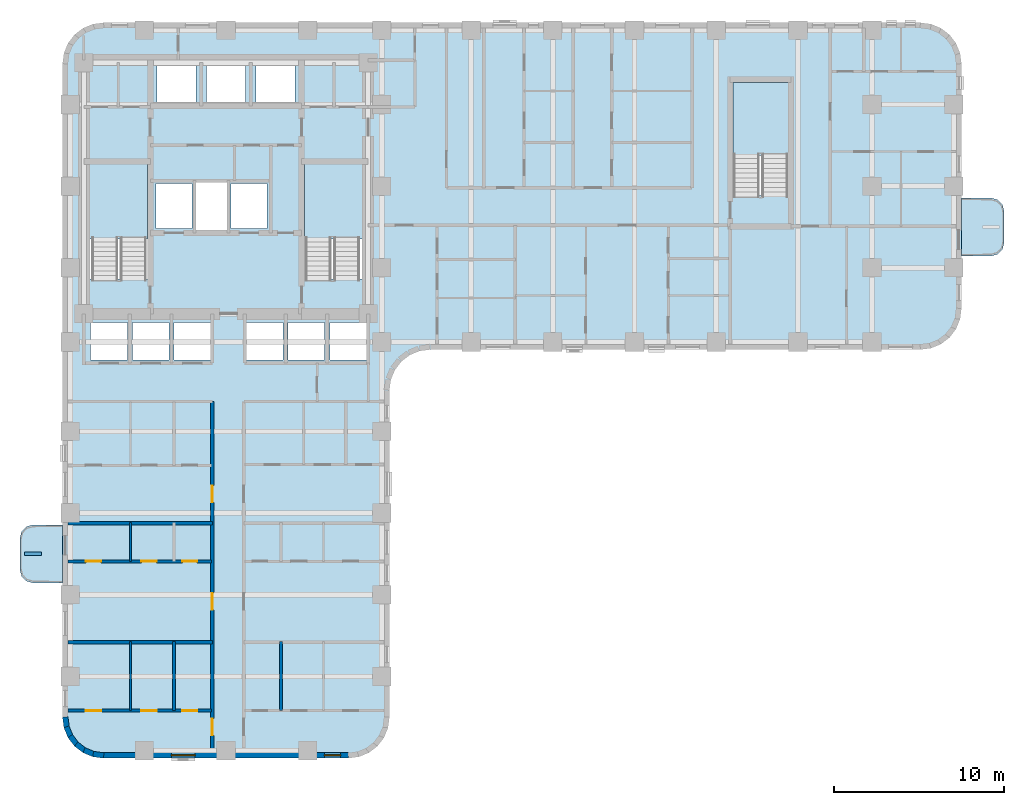
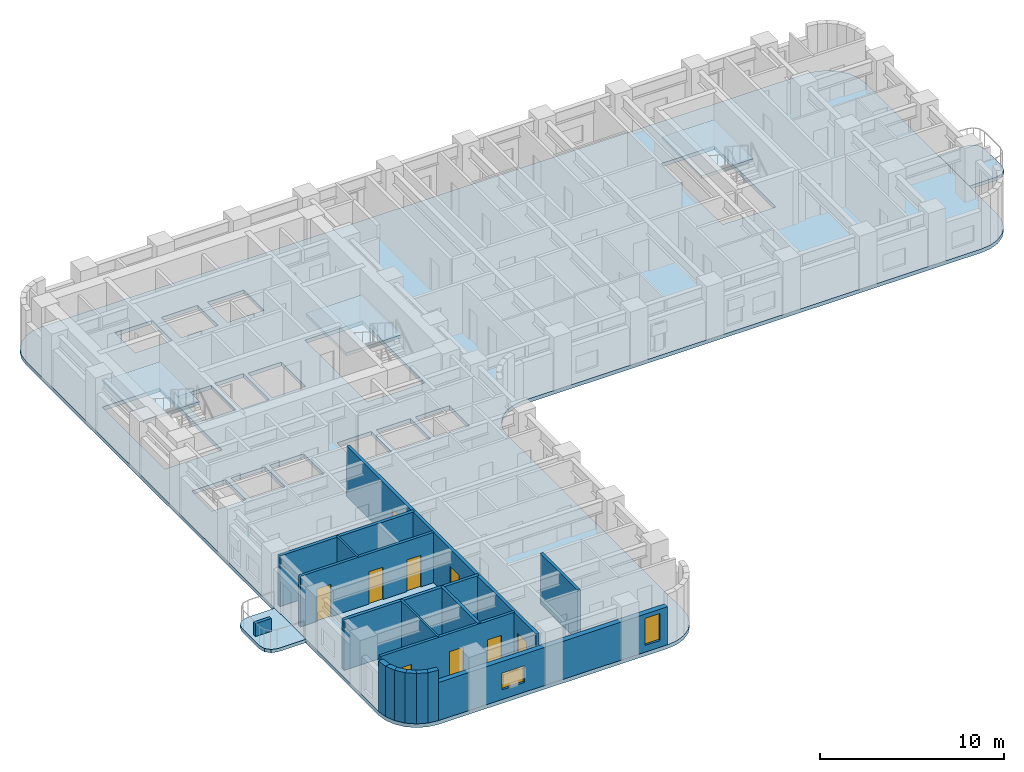
# One storey, part 2 of 10: 17 walls, 9 doors, 6 slabs, 2 windows, 11 openings, 3 elements without a shape of their own.
"""IFC4 building model written with IfcOpenShell, lengths in metres."""

import ifcopenshell
import ifcopenshell.guid

model = None  # the IFC model being written
_history = None  # IfcOwnerHistory: only IFC2X3 demands one
_inside = {}  # id of a spatial element -> (the spatial element, [elements in it])
_under = {}  # id of a project, library or spatial element -> (it, [spatial elements below it])
_declared = {}  # id of a project -> (the project, [libraries it declares])
_typed = {}  # id of a type object -> (the type object, [elements of that type])
_made_of = {}  # id of a material, layer set ... -> (it, [elements and type objects made of it])


def new_model(schema):
    """Start an empty IFC model of exactly this schema.

    Asked for "IFC4X3", IfcOpenShell would pick the latest addendum, in which some entities
    have other attributes; the version numbers below select the first issue.
    IFC2X3 requires an IfcOwnerHistory on every rooted entity: one is made here for all.
    """
    global model, _history
    if schema == "IFC4X3":
        model = ifcopenshell.file(schema_version=(4, 3, 0, 0))
    else:
        model = ifcopenshell.file(schema=schema)
    _inside.clear()
    _under.clear()
    _declared.clear()
    _typed.clear()
    _made_of.clear()
    _history = None
    if model.schema == "IFC2X3":
        org = make("IfcOrganization", Name="unknown")
        user = make(
            "IfcPersonAndOrganization",
            ThePerson=make("IfcPerson", FamilyName="unknown"),
            TheOrganization=org,
        )
        app = make(
            "IfcApplication",
            ApplicationDeveloper=org,
            Version="unknown",
            ApplicationFullName="unknown",
            ApplicationIdentifier="unknown",
        )
        _history = make(
            "IfcOwnerHistory",
            OwningUser=user,
            OwningApplication=app,
            ChangeAction="ADDED",
            CreationDate=0,
        )
    return model


def make(cls, **values):
    """One entity of the class cls with the attributes given. An attribute that is None is left unset."""
    return model.create_entity(
        cls, **{name: value for name, value in values.items() if value is not None}
    )


def rooted(cls, **values):
    """An entity with a GlobalId (a new one), such as an element, a storey or a relation."""
    return make(cls, GlobalId=ifcopenshell.guid.new(), OwnerHistory=_history, **values)


def si_unit(unit_type, name, prefix=None):
    """IfcSIUnit, for example si_unit("LENGTHUNIT", "METRE", prefix="MILLI")."""
    return make("IfcSIUnit", UnitType=unit_type, Prefix=prefix, Name=name)


def assignment(units):
    """IfcUnitAssignment: the units of a project."""
    return None if units is None else make("IfcUnitAssignment", Units=units)


def point(xyz):
    """IfcCartesianPoint."""
    return None if xyz is None else make("IfcCartesianPoint", Coordinates=xyz)


def direction(xyz):
    """IfcDirection."""
    return None if xyz is None else make("IfcDirection", DirectionRatios=xyz)


def frame(location, z_axis=None, x_axis=None):
    """IfcAxis2Placement3D, a coordinate frame: its origin and axes. An axis left out is left unset."""
    return make(
        "IfcAxis2Placement3D",
        Location=point(location),
        Axis=direction(z_axis),
        RefDirection=direction(x_axis),
    )


def frame_2d(location, x_axis=None):
    """IfcAxis2Placement2D, a coordinate frame in the plane: its origin and x axis."""
    return make(
        "IfcAxis2Placement2D", Location=point(location), RefDirection=direction(x_axis)
    )


def origin():
    """The frame at (0, 0, 0) with its axes left unset."""
    return frame((0.0, 0.0, 0.0))


def place(relative_to, where):
    """IfcLocalPlacement: puts the frame where relative to a parent placement (None: the world)."""
    return make(
        "IfcLocalPlacement", PlacementRelTo=relative_to, RelativePlacement=where
    )


def context(
    kind, dimensions, precision=None, world=None, true_north=None, identifier=None
):
    """IfcGeometricRepresentationContext, for example the 3D "Model" context."""
    return make(
        "IfcGeometricRepresentationContext",
        ContextIdentifier=identifier,
        ContextType=kind,
        CoordinateSpaceDimension=dimensions,
        Precision=precision,
        WorldCoordinateSystem=world,
        TrueNorth=true_north,
    )


def subcontext(parent, identifier, kind, view, scale=None):
    """IfcGeometricRepresentationSubContext, for example "Body" below "Model"."""
    return make(
        "IfcGeometricRepresentationSubContext",
        ContextIdentifier=identifier,
        ContextType=kind,
        ParentContext=parent,
        TargetScale=scale,
        TargetView=view,
    )


def project(units=None, contexts=None):
    """IfcProject with its units and contexts."""
    return rooted(
        "IfcProject",
        Name="project",
        RepresentationContexts=contexts,
        UnitsInContext=assignment(units),
    )


def spatial(cls, under=None, at=None, **own):
    """A site, building, storey or space (cls), placed at a placement, below another one or the project."""
    s = rooted(cls, ObjectPlacement=at, **own)
    if under is not None:
        _under.setdefault(under.id(), (under, []))[1].append(s)
    return s


def polyline(points):
    """IfcPolyline through the points."""
    return make("IfcPolyline", Points=[point(p) for p in points])


def profile(cls, at=None, kind="AREA", **sizes):
    """A parametric profile (cls). Its sizes go by their IFC names, for example OverallWidth=200.0."""
    return make(cls, ProfileType=kind, Position=at, **sizes)


def rectangle(**sizes):
    """IfcRectangleProfileDef."""
    return profile("IfcRectangleProfileDef", **sizes)


def outline(outer, holes=None, kind="AREA"):
    """IfcArbitraryClosedProfileDef: a profile drawn as a closed curve; with holes, ...WithVoids."""
    if holes is None:
        return make("IfcArbitraryClosedProfileDef", ProfileType=kind, OuterCurve=outer)
    return make(
        "IfcArbitraryProfileDefWithVoids",
        ProfileType=kind,
        OuterCurve=outer,
        InnerCurves=holes,
    )


def extrude(swept, where, along, depth):
    """IfcExtrudedAreaSolid: the profile swept, set in the frame where, extruded along a direction by depth."""
    return make(
        "IfcExtrudedAreaSolid",
        SweptArea=swept,
        Position=where,
        ExtrudedDirection=direction(along),
        Depth=depth,
    )


def shape(context_of_items, identifier, shape_type, items):
    """IfcShapeRepresentation: the items that make up one representation, for example the "Body"."""
    return make(
        "IfcShapeRepresentation",
        ContextOfItems=context_of_items,
        RepresentationIdentifier=identifier,
        RepresentationType=shape_type,
        Items=items,
    )


def material(Name=None, Category=None):
    """IfcMaterial."""
    return make("IfcMaterial", Name=Name, Category=Category)


def layer(
    of_material, thickness, ventilated=None, Name=None, Category=None, Priority=None
):
    """IfcMaterialLayer: one layer of a wall or slab, of a material (None: an air gap)."""
    return make(
        "IfcMaterialLayer",
        Material=of_material,
        LayerThickness=thickness,
        IsVentilated=ventilated,
        Name=Name,
        Category=Category,
        Priority=Priority,
    )


def layer_set(layers, Name=None):
    """IfcMaterialLayerSet."""
    return make("IfcMaterialLayerSet", MaterialLayers=layers, LayerSetName=Name)


def made_of(thing, what):
    """Note that an element or type object is made of a material, layer set ...; save() writes the relation."""
    if what is not None:
        _made_of.setdefault(what.id(), (what, []))[1].append(thing)
    return thing


def type_object(cls, material=None, **own):
    """A type object (cls), such as IfcWallType, which elements share."""
    return made_of(rooted(cls, **own), material)


def element(
    cls,
    number,
    at=None,
    inside=None,
    cuts=None,
    type_object=None,
    material=None,
    context=None,
    identifier="Body",
    shape_type=None,
    held_by="IfcProductDefinitionShape",
    body=None,
    shapes=None,
    **own,
):
    """One element of the class cls, such as IfcWall. Its Tag is "e" and its number.

    at: its placement. inside: the storey or other place that contains it. cuts: it is an
    opening in that element (IfcRelVoidsElement). A single representation is given by context,
    identifier, shape_type and body (its items); several are given by shapes. held_by: the class
    of the entity that holds the representations. save() writes the other relations.
    """
    e = rooted(cls, Tag="e%d" % number, ObjectPlacement=at, **own)
    if body is not None:
        shapes = [shape(context, identifier, shape_type, body)]
    if shapes is not None:
        e.Representation = make(held_by, Representations=shapes)
    if inside is not None:
        _inside.setdefault(inside.id(), (inside, []))[1].append(e)
    if cuts is not None:
        rooted(
            "IfcRelVoidsElement", RelatingBuildingElement=cuts, RelatedOpeningElement=e
        )
    if type_object is not None:
        _typed.setdefault(type_object.id(), (type_object, []))[1].append(e)
    return made_of(e, material)


def fill(opening, filler):
    """IfcRelFillsElement: the door or window that sits in an opening."""
    return rooted(
        "IfcRelFillsElement",
        RelatingOpeningElement=opening,
        RelatedBuildingElement=filler,
    )


def aggregate(whole, parts):
    """IfcRelAggregates: a whole, such as a stair, and the parts it consists of."""
    return rooted("IfcRelAggregates", RelatingObject=whole, RelatedObjects=parts)


def save(model, path):
    """Write the relations noted so far, then the file.

    IfcRelAggregates (storeys below a building ...), IfcRelContainedInSpatialStructure (elements
    in a storey), IfcRelDefinesByType, IfcRelAssociatesMaterial and IfcRelDeclares: one each for
    every whole, place, type object, material and project.
    """
    for whole, parts in _under.values():
        aggregate(whole, parts)
    for where, things in _inside.values():
        rooted(
            "IfcRelContainedInSpatialStructure",
            RelatedElements=things,
            RelatingStructure=where,
        )
    for kind, things in _typed.values():
        rooted("IfcRelDefinesByType", RelatedObjects=things, RelatingType=kind)
    for what, things in _made_of.values():
        rooted("IfcRelAssociatesMaterial", RelatedObjects=things, RelatingMaterial=what)
    for by, libraries in _declared.values():
        rooted("IfcRelDeclares", RelatingContext=by, RelatedDefinitions=libraries)
    model.write(path)


model = new_model("IFC4")

# Units and contexts
model_context = context("Model", 3, precision=1e-05, world=origin(), true_north=direction((0.0, 1.0)))
body_context = subcontext(model_context, "Body", "Model", "MODEL_VIEW")
ifc_project = project(units=[si_unit("LENGTHUNIT", "METRE"), si_unit("AREAUNIT", "SQUARE_METRE"), si_unit("VOLUMEUNIT", "CUBIC_METRE"), si_unit("PLANEANGLEUNIT", "RADIAN"), si_unit("MASSUNIT", "GRAM", prefix="KILO")], contexts=[model_context])

# Site, building, storey
site_placement = place(None, origin())
site = spatial("IfcSite", under=ifc_project, at=site_placement, CompositionType="ELEMENT")
building_placement = place(site_placement, origin())
building = spatial("IfcBuilding", under=site, at=building_placement, Name="Orvandelia Arch Residences", CompositionType="ELEMENT")
storey_placement = place(building_placement, frame((0.0, 0.0, 28.60009765625)))
storey = spatial("IfcBuildingStorey", under=building, at=storey_placement, Name="L06", CompositionType="ELEMENT", Elevation=28.60009765625)

# Slabs
ifc_material_1 = material(Name="Precast concrete C40/50", Category="concrete")
ifc_layer_1 = layer(ifc_material_1, 0.219970703125, Name="Precast concrete C40/50", Category="concrete")
ifc_layer_set_1 = layer_set([ifc_layer_1], Name="Precast concrete C40/50")
slab_type_1 = type_object("IfcSlabType", Name="SLB-BAL-220", PredefinedType="USERDEFINED", material=ifc_layer_set_1)
slab_1_placement = place(storey_placement, frame((0.0, 0.0, -0.22021484375)))
element("IfcSlab", 1, at=slab_1_placement, inside=storey, type_object=slab_type_1, Name="Tree Balcony Cantilever Slab BAL-L06-W1", ObjectType="BALCONY", PredefinedType="USERDEFINED", context=body_context, shape_type="SweptSolid", body=[
    extrude(outline(polyline([(4.800048828125, 15.10009765625), (4.800048828125, 18.5), (3.050048828125, 18.5), (2.675048828125, 18.3994140625), (2.400390625, 18.125), (2.300048828125, 17.75), (2.300048828125, 15.85009765625), (2.400390625, 15.47509765625), (2.675048828125, 15.200439453125), (3.050048828125, 15.10009765625), (4.800048828125, 15.10009765625)])), origin(), (0.0, 0.0, 1.0), 0.22021484375),
])
slab_2_placement = place(storey_placement, frame((0.0, 0.0, -0.22021484375)))
element("IfcSlab", 2, at=slab_2_placement, inside=storey, type_object=slab_type_1, Name="Tree Balcony Cantilever Slab BAL-L06-E1", ObjectType="BALCONY", PredefinedType="USERDEFINED", context=body_context, shape_type="SweptSolid", body=[
    extrude(outline(polyline([(57.60009765625, 37.699951171875), (57.60009765625, 34.300048828125), (59.35009765625, 34.300048828125), (59.72509765625, 34.400390625), (59.99951171875, 34.675048828125), (60.10009765625, 35.050048828125), (60.10009765625, 36.949951171875), (59.99951171875, 37.324951171875), (59.72509765625, 37.599609375), (59.35009765625, 37.699951171875), (57.60009765625, 37.699951171875)])), origin(), (0.0, 0.0, 1.0), 0.22021484375),
])

# Stair, slab
ifc_material_2 = material(Name="Concrete C40/50", Category="concrete")
stair_type = type_object("IfcStairType", Name="STAIR-RC-DOGLEG", PredefinedType="HALF_TURN_STAIR", material=ifc_material_2)
stair_1_placement = place(storey_placement, origin())
stair_1 = element("IfcStair", 3, at=stair_1_placement, inside=storey, type_object=stair_type, Name="L06 Protected Exit Stair ST-1", PredefinedType="HALF_TURN_STAIR")
ifc_layer_2 = layer(ifc_material_2, 0.219970703125, Name="Concrete C40/50", Category="concrete")
ifc_layer_set_2 = layer_set([ifc_layer_2], Name="Concrete C40/50")
slab_type_2 = type_object("IfcSlabType", Name="SLB-LANDING-220", PredefinedType="LANDING", material=ifc_layer_set_2)
slab_3_placement = place(storey_placement, frame((0.0, 0.0, 1.599853515625)))
slab_3 = element("IfcSlab", 4, at=slab_3_placement, type_object=slab_type_2, Name="ST-1 landing 1", PredefinedType="LANDING", context=body_context, shape_type="SweptSolid", body=[
    extrude(outline(polyline([(9.800048828125, 35.31005859375), (9.800048828125, 39.68994140625), (6.260009765625, 39.68994140625), (6.260009765625, 35.31005859375), (9.800048828125, 35.31005859375)])), origin(), (0.0, 0.0, 1.0), 0.199951171875),
])
aggregate(stair_1, [slab_3])

stair_2_placement = place(storey_placement, origin())
stair_2 = element("IfcStair", 5, at=stair_2_placement, inside=storey, type_object=stair_type, Name="L06 Protected Exit Stair ST-2", PredefinedType="HALF_TURN_STAIR")
slab_4_placement = place(storey_placement, frame((0.0, 0.0, 1.599853515625)))
slab_4 = element("IfcSlab", 6, at=slab_4_placement, type_object=slab_type_2, Name="ST-2 landing 1", PredefinedType="LANDING", context=body_context, shape_type="SweptSolid", body=[
    extrude(outline(polyline([(22.5400390625, 35.31005859375), (22.5400390625, 39.68994140625), (19.0, 39.68994140625), (19.0, 35.31005859375), (22.5400390625, 35.31005859375)])), origin(), (0.0, 0.0, 1.0), 0.199951171875),
])
aggregate(stair_2, [slab_4])

stair_3_placement = place(storey_placement, origin())
stair_3 = element("IfcStair", 7, at=stair_3_placement, inside=storey, type_object=stair_type, Name="L06 East Wing Exit Stair ST-3", PredefinedType="HALF_TURN_STAIR")
slab_5_placement = place(storey_placement, frame((0.0, 0.0, 1.599853515625)))
slab_5 = element("IfcSlab", 8, at=slab_5_placement, type_object=slab_type_2, Name="ST-3 landing 1", PredefinedType="LANDING", context=body_context, shape_type="SweptSolid", body=[
    extrude(outline(polyline([(47.43994140625, 40.2099609375), (47.43994140625, 44.5), (44.179931640625, 44.5), (44.179931640625, 40.2099609375), (47.43994140625, 40.2099609375)])), origin(), (0.0, 0.0, 1.0), 0.199951171875),
])
aggregate(stair_3, [slab_5])

# Slab
ifc_layer_3 = layer(ifc_material_2, 0.25, Name="Concrete C40/50", Category="concrete")
ifc_layer_set_3 = layer_set([ifc_layer_3], Name="Concrete C40/50")
slab_type_3 = type_object("IfcSlabType", Name="SLB-TWR-250", PredefinedType="FLOOR", material=ifc_layer_set_3)
slab_6_placement = place(storey_placement, frame((0.0, 0.0, -0.25)))
element("IfcSlab", 9, at=slab_6_placement, inside=storey, type_object=slab_type_3, Name="Structural Floor Slab L06-1", PredefinedType="FLOOR", context=body_context, shape_type="SweptSolid", body=[
    extrude(outline(polyline([(4.800048828125, 7.199951171875), (4.8818359375, 6.578857421875), (5.12158203125, 6.0), (5.5029296875, 5.5029296875), (6.0, 5.12158203125), (6.578857421875, 4.8818359375), (7.199951171875, 4.800048828125), (21.60009765625, 4.800048828125), (22.22119140625, 4.8818359375), (22.800048828125, 5.12158203125), (23.297119140625, 5.5029296875), (23.678466796875, 6.0), (23.918212890625, 6.578857421875), (24.0, 7.199951171875), (24.0, 26.39990234375), (24.081787109375, 27.021240234375), (24.321533203125, 27.60009765625), (24.702880859375, 28.09716796875), (25.199951171875, 28.478515625), (25.77880859375, 28.71826171875), (26.39990234375, 28.800048828125), (55.199951171875, 28.800048828125), (55.8212890625, 28.8818359375), (56.39990234375, 29.12158203125), (56.897216796875, 29.5029296875), (57.278564453125, 30.0), (57.518310546875, 30.578857421875), (57.60009765625, 31.199951171875), (57.60009765625, 45.60009765625), (57.518310546875, 46.22119140625), (57.278564453125, 46.800048828125), (56.897216796875, 47.297119140625), (56.39990234375, 47.678466796875), (55.8212890625, 47.918212890625), (55.199951171875, 48.0), (7.199951171875, 48.0), (6.578857421875, 47.918212890625), (6.0, 47.678466796875), (5.5029296875, 47.297119140625), (5.12158203125, 46.800048828125), (4.8818359375, 46.22119140625), (4.800048828125, 45.60009765625), (4.800048828125, 7.199951171875)]), holes=[polyline([(6.219970703125, 32.949951171875), (9.840087890625, 32.949951171875), (9.840087890625, 39.72998046875), (6.219970703125, 39.72998046875), (6.219970703125, 32.949951171875)]), polyline([(18.9599609375, 32.949951171875), (22.580078125, 32.949951171875), (22.580078125, 39.72998046875), (18.9599609375, 39.72998046875), (18.9599609375, 32.949951171875)]), polyline([(44.139892578125, 37.85009765625), (47.47998046875, 37.85009765625), (47.47998046875, 44.5400390625), (44.139892578125, 44.5400390625), (44.139892578125, 37.85009765625)]), polyline([(12.639892578125, 35.81005859375), (14.4599609375, 35.81005859375), (14.4599609375, 38.639892578125), (12.639892578125, 38.639892578125), (12.639892578125, 35.81005859375)]), polyline([(10.300048828125, 35.89990234375), (12.39990234375, 35.89990234375), (12.39990234375, 38.550048828125), (10.300048828125, 38.550048828125), (10.300048828125, 35.89990234375)]), polyline([(14.699951171875, 35.89990234375), (16.800048828125, 35.89990234375), (16.800048828125, 38.550048828125), (14.699951171875, 38.550048828125), (14.699951171875, 35.89990234375)]), polyline([(10.35009765625, 43.300048828125), (12.64990234375, 43.300048828125), (12.64990234375, 45.5), (10.35009765625, 45.5), (10.35009765625, 43.300048828125)]), polyline([(13.25, 43.300048828125), (15.550048828125, 43.300048828125), (15.550048828125, 45.5), (13.25, 45.5), (13.25, 43.300048828125)]), polyline([(16.14990234375, 43.300048828125), (18.449951171875, 43.300048828125), (18.449951171875, 45.5), (16.14990234375, 45.5), (16.14990234375, 43.300048828125)]), polyline([(6.449951171875, 28.199951171875), (8.60009765625, 28.199951171875), (8.60009765625, 30.39990234375), (6.449951171875, 30.39990234375), (6.449951171875, 28.199951171875)]), polyline([(8.89990234375, 28.199951171875), (11.050048828125, 28.199951171875), (11.050048828125, 30.39990234375), (8.89990234375, 30.39990234375), (8.89990234375, 28.199951171875)]), polyline([(11.35009765625, 28.199951171875), (13.5, 28.199951171875), (13.5, 30.39990234375), (11.35009765625, 30.39990234375), (11.35009765625, 28.199951171875)]), polyline([(15.60009765625, 28.199951171875), (17.75, 28.199951171875), (17.75, 30.39990234375), (15.60009765625, 30.39990234375), (15.60009765625, 28.199951171875)]), polyline([(18.050048828125, 28.199951171875), (20.199951171875, 28.199951171875), (20.199951171875, 30.39990234375), (18.050048828125, 30.39990234375), (18.050048828125, 28.199951171875)]), polyline([(20.5, 28.199951171875), (22.64990234375, 28.199951171875), (22.64990234375, 30.39990234375), (20.5, 30.39990234375), (20.5, 28.199951171875)])]), origin(), (0.0, 0.0, 1.0), 0.25),
])

# Wall, openings, doors
ifc_material_3 = material(Name="Fire-Rated Corridor Partition")
ifc_layer_4 = layer(ifc_material_3, 0.199951171875, Name="Fire-Rated Corridor Partition")
ifc_layer_set_4 = layer_set([ifc_layer_4], Name="Fire-Rated Corridor Partition")
wall_type_1 = type_object("IfcWallType", Name="WL-CORR-200", PredefinedType="PARTITIONING", material=ifc_layer_set_4)
wall_1_placement = place(storey_placement, frame((13.60009765625, 5.1201171875, 0.0), z_axis=(0.0, 0.0, 1.0), x_axis=(0.0, 1.0, 0.0)))
wall_1 = element("IfcWall", 10, at=wall_1_placement, inside=storey, type_object=wall_type_1, Name="Interior Partition Wall WL-L06-WC-W", PredefinedType="PARTITIONING", context=body_context, shape_type="SweptSolid", body=[
    extrude(rectangle(XDim=20.6298828125, YDim=0.199951171875, at=frame_2d((10.31494140625, 0.0))), origin(), (0.0, 0.0, 1.0), 3.349853515625),
])
opening_1_placement = place(wall_1_placement, frame((1.02490234375, 0.0, 0.0)))
opening_1 = element("IfcOpeningElement", 11, at=opening_1_placement, cuts=wall_1, Name="Opening D1", PredefinedType="OPENING", context=body_context, shape_type="SweptSolid", body=[
    extrude(rectangle(XDim=0.97998046875, YDim=2.179931640625, at=frame_2d((0.489990234375, 1.08984375))), frame((0.0, 0.10986328125, 0.0), z_axis=(0.0, -1.0, 0.0), x_axis=(1.0, 0.0, 0.0)), (0.0, 0.0, 1.0), 0.219970703125),
])
opening_2_placement = place(wall_1_placement, frame((8.389892578125, 0.0, 0.0)))
opening_2 = element("IfcOpeningElement", 12, at=opening_2_placement, cuts=wall_1, Name="Opening D1", PredefinedType="OPENING", context=body_context, shape_type="SweptSolid", body=[
    extrude(rectangle(XDim=0.97998046875, YDim=2.179931640625, at=frame_2d((0.489990234375, 1.08984375))), frame((0.0, 0.10986328125, 0.0), z_axis=(0.0, -1.0, 0.0), x_axis=(1.0, 0.0, 0.0)), (0.0, 0.0, 1.0), 0.219970703125),
])
opening_3_placement = place(wall_1_placement, frame((14.7099609375, 0.0, 0.0)))
opening_3 = element("IfcOpeningElement", 13, at=opening_3_placement, cuts=wall_1, Name="Opening D1", PredefinedType="OPENING", context=body_context, shape_type="SweptSolid", body=[
    extrude(rectangle(XDim=0.97998046875, YDim=2.179931640625, at=frame_2d((0.489990234375, 1.08984375))), frame((0.0, 0.10986328125, 0.0), z_axis=(0.0, -1.0, 0.0), x_axis=(1.0, 0.0, 0.0)), (0.0, 0.0, 1.0), 0.219970703125),
])
ifc_material_4 = material(Name="Solid-Core Timber Acoustic Fire Door", Category="wood")
door_type_1 = type_object("IfcDoorType", Name="DR-ENT-980", OperationType="NOTDEFINED", PredefinedType="DOOR", material=ifc_material_4)
door_1_placement = place(opening_1_placement, origin())
door_1 = element("IfcDoor", 14, at=door_1_placement, inside=storey, type_object=door_type_1, Name="Unit L06-01 Entrance Door", OperationType="SINGLE_SWING_LEFT", OverallHeight=2.179931640625, OverallWidth=0.97998046875, PredefinedType="DOOR", context=body_context, shape_type="SweptSolid", body=[
    extrude(rectangle(XDim=0.97998046875, YDim=2.179931640625, at=frame_2d((0.489990234375, 1.08984375))), frame((0.0, 0.02490234375, 0.0), z_axis=(0.0, -1.0, 0.0), x_axis=(1.0, 0.0, 0.0)), (0.0, 0.0, 1.0), 0.050048828125),
])
fill(opening_1, door_1)
door_2_placement = place(opening_2_placement, origin())
door_2 = element("IfcDoor", 15, at=door_2_placement, inside=storey, type_object=door_type_1, Name="Unit L06-02 Entrance Door", OperationType="SINGLE_SWING_RIGHT", OverallHeight=2.179931640625, OverallWidth=0.97998046875, PredefinedType="DOOR", context=body_context, shape_type="SweptSolid", body=[
    extrude(rectangle(XDim=0.97998046875, YDim=2.179931640625, at=frame_2d((0.489990234375, 1.08984375))), frame((0.0, 0.02490234375, 0.0), z_axis=(0.0, -1.0, 0.0), x_axis=(1.0, 0.0, 0.0)), (0.0, 0.0, 1.0), 0.050048828125),
])
fill(opening_2, door_2)
door_3_placement = place(opening_3_placement, origin())
door_3 = element("IfcDoor", 16, at=door_3_placement, inside=storey, type_object=door_type_1, Name="Unit L06-03 Entrance Door", OperationType="SINGLE_SWING_LEFT", OverallHeight=2.179931640625, OverallWidth=0.97998046875, PredefinedType="DOOR", context=body_context, shape_type="SweptSolid", body=[
    extrude(rectangle(XDim=0.97998046875, YDim=2.179931640625, at=frame_2d((0.489990234375, 1.08984375))), frame((0.0, 0.02490234375, 0.0), z_axis=(0.0, -1.0, 0.0), x_axis=(1.0, 0.0, 0.0)), (0.0, 0.0, 1.0), 0.050048828125),
])
fill(opening_3, door_3)

# Walls
ifc_layer_5 = layer(ifc_material_2, 0.199951171875, Name="Concrete C40/50", Category="concrete")
ifc_layer_set_5 = layer_set([ifc_layer_5], Name="Concrete C40/50")
wall_type_2 = type_object("IfcWallType", Name="WL-DEM-200", PredefinedType="SOLIDWALL", material=ifc_layer_set_5)
for number, where, z_axis, x_axis, name in (
    (17, (5.1201171875, 11.60009765625, 0.0), (0.0, 0.0, 1.0), (1.0, 0.0, 0.0), "Interior Partition Wall WL-L06-DEM-WL-116"),
    (18, (5.1201171875, 18.60009765625, 0.0), (0.0, 0.0, 1.0), (1.0, 0.0, 0.0), "Interior Partition Wall WL-L06-DEM-WL-186"),
):
    element("IfcWall", number, at=place(storey_placement, frame(where, z_axis=z_axis, x_axis=x_axis)), inside=storey, type_object=wall_type_2, Name=name, PredefinedType="SOLIDWALL", context=body_context, shape_type="SweptSolid", body=[
        extrude(rectangle(XDim=8.47998046875, YDim=0.199951171875, at=frame_2d((4.239990234375, 0.0))), origin(), (0.0, 0.0, 1.0), 3.349853515625),
    ])

# Wall, openings, windows
ifc_layer_6 = layer(ifc_material_1, 0.320068359375, Name="Precast concrete C40/50", Category="concrete")
ifc_layer_set_6 = layer_set([ifc_layer_6], Name="Precast concrete C40/50")
wall_type_3 = type_object("IfcWallType", Name="WL-EXT-STONE-320", PredefinedType="STANDARD", material=ifc_layer_set_6)
wall_2_placement = place(storey_placement, frame((21.60009765625, 4.9599609375, 0.0), z_axis=(0.0, 0.0, 1.0), x_axis=(-1.0, 0.0, 0.0)))
wall_2 = element("IfcWall", 19, at=wall_2_placement, inside=storey, type_object=wall_type_3, Name="Coral-Limestone Precast Facade Wall L06-035", PredefinedType="STANDARD", context=body_context, shape_type="SweptSolid", body=[
    extrude(rectangle(XDim=14.400146484375, YDim=0.320068359375, at=frame_2d((7.2001953125, 0.0))), origin(), (0.0, 0.0, 1.0), 2.52978515625),
])
opening_4_placement = place(wall_2_placement, frame((9.014892578125, 0.0, 0.64990234375)))
opening_4 = element("IfcOpeningElement", 20, at=opening_4_placement, cuts=wall_2, Name="Opening W10", PredefinedType="OPENING", context=body_context, shape_type="SweptSolid", body=[
    extrude(rectangle(XDim=1.39990234375, YDim=1.10009765625, at=frame_2d((0.699951171875, 0.550048828125))), frame((0.0, 0.169921875, 0.0), z_axis=(0.0, -1.0, 0.0), x_axis=(1.0, 0.0, 0.0)), (0.0, 0.0, 1.0), 0.340087890625),
])
opening_5_placement = place(wall_2_placement, frame((0.469970703125, 0.0, 0.449951171875)))
opening_5 = element("IfcOpeningElement", 21, at=opening_5_placement, cuts=wall_2, Name="Opening W4", PredefinedType="OPENING", context=body_context, shape_type="SweptSolid", body=[
    extrude(rectangle(XDim=0.949951171875, YDim=1.800048828125, at=frame_2d((0.47509765625, 0.89990234375))), frame((0.0, 0.169921875, 0.0), z_axis=(0.0, -1.0, 0.0), x_axis=(1.0, 0.0, 0.0)), (0.0, 0.0, 1.0), 0.340087890625),
])
ifc_material_5 = material(Name="Tempered Low-E Insulated Glazing", Category="glass")
window_type_1 = type_object("IfcWindowType", Name="WIN-CLR-1400x1100", PartitioningType="SINGLE_PANEL", PredefinedType="WINDOW", material=ifc_material_5)
window_1_placement = place(opening_4_placement, origin())
window_1 = element("IfcWindow", 22, at=window_1_placement, inside=storey, type_object=window_type_1, Name="Recessed Punched Window L06-027", OverallHeight=1.10009765625, OverallWidth=1.39990234375, PartitioningType="SINGLE_PANEL", PredefinedType="WINDOW", context=body_context, shape_type="SweptSolid", body=[
    extrude(rectangle(XDim=1.39990234375, YDim=1.10009765625, at=frame_2d((0.699951171875, 0.550048828125))), frame((0.0, 0.030029296875, 0.0), z_axis=(0.0, -1.0, 0.0), x_axis=(1.0, 0.0, 0.0)), (0.0, 0.0, 1.0), 0.06005859375),
])
fill(opening_4, window_1)
window_type_2 = type_object("IfcWindowType", Name="WIN-RES-0950x1800", PartitioningType="SINGLE_PANEL", PredefinedType="WINDOW", material=ifc_material_5)
window_2_placement = place(opening_5_placement, origin())
window_2 = element("IfcWindow", 23, at=window_2_placement, inside=storey, type_object=window_type_2, Name="Recessed Punched Window L06-028", OverallHeight=1.800048828125, OverallWidth=0.949951171875, PartitioningType="SINGLE_PANEL", PredefinedType="WINDOW", context=body_context, shape_type="SweptSolid", body=[
    extrude(rectangle(XDim=0.949951171875, YDim=1.800048828125, at=frame_2d((0.47509765625, 0.89990234375))), frame((0.0, 0.030029296875, 0.0), z_axis=(0.0, -1.0, 0.0), x_axis=(1.0, 0.0, 0.0)), (0.0, 0.0, 1.0), 0.06005859375),
])
fill(opening_5, window_2)

# Walls
wall_3_placement = place(storey_placement, frame((7.220947265625, 4.95849609375, 0.0), z_axis=(0.0, 0.0, 1.0), x_axis=(-0.991447664465, 0.130504898859, 0.0)))
element("IfcWall", 24, at=wall_3_placement, inside=storey, type_object=wall_type_3, Name="Coral-Limestone Precast Facade Wall L06-036", PredefinedType="STANDARD", context=body_context, shape_type="SweptSolid", body=[
    extrude(rectangle(XDim=0.626708984375, YDim=0.320068359375, at=frame_2d((0.3134765625, 0.0))), origin(), (0.0, 0.0, 1.0), 3.349853515625),
])
wall_4_placement = place(storey_placement, frame((6.639892578125, 5.029541015625, 0.0), z_axis=(0.0, 0.0, 1.0), x_axis=(-0.923836271867, 0.382787856107, 0.0)))
element("IfcWall", 25, at=wall_4_placement, inside=storey, type_object=wall_type_3, Name="Coral-Limestone Precast Facade Wall L06-037", PredefinedType="STANDARD", context=body_context, shape_type="SweptSolid", body=[
    extrude(rectangle(XDim=0.626220703125, YDim=0.320068359375, at=frame_2d((0.31298828125, 0.0))), origin(), (0.0, 0.0, 1.0), 3.349853515625),
])
for number, where, z_axis, x_axis, name in (
    (26, (6.097412109375, 5.248291015625, 0.0), (0.0, 0.0, 1.0), (-0.7932174212, 0.608938521285, 0.0), "Coral-Limestone Precast Facade Wall L06-038"),
    (27, (5.6298828125, 5.600341796875, 0.0), (0.0, 0.0, 1.0), (-0.608938521285, 0.7932174212, 0.0), "Coral-Limestone Precast Facade Wall L06-039"),
):
    element("IfcWall", number, at=place(storey_placement, frame(where, z_axis=z_axis, x_axis=x_axis)), inside=storey, type_object=wall_type_3, Name=name, PredefinedType="STANDARD", context=body_context, shape_type="SweptSolid", body=[
        extrude(rectangle(XDim=0.626708984375, YDim=0.320068359375, at=frame_2d((0.3134765625, 0.0))), origin(), (0.0, 0.0, 1.0), 3.349853515625),
    ])
wall_5_placement = place(storey_placement, frame((5.269287109375, 6.061279296875, 0.0), z_axis=(0.0, 0.0, 1.0), x_axis=(-0.382787856107, 0.923836271867, 0.0)))
element("IfcWall", 28, at=wall_5_placement, inside=storey, type_object=wall_type_3, Name="Coral-Limestone Precast Facade Wall L06-040", PredefinedType="STANDARD", context=body_context, shape_type="SweptSolid", body=[
    extrude(rectangle(XDim=0.626220703125, YDim=0.320068359375, at=frame_2d((0.31298828125, 0.0))), origin(), (0.0, 0.0, 1.0), 3.349853515625),
])
wall_6_placement = place(storey_placement, frame((5.040283203125, 6.599609375, 0.0), z_axis=(0.0, 0.0, 1.0), x_axis=(-0.130504898859, 0.991447664465, 0.0)))
element("IfcWall", 29, at=wall_6_placement, inside=storey, type_object=wall_type_3, Name="Coral-Limestone Precast Facade Wall L06-041", PredefinedType="STANDARD", context=body_context, shape_type="SweptSolid", body=[
    extrude(rectangle(XDim=0.626708984375, YDim=0.320068359375, at=frame_2d((0.3134765625, 0.0))), origin(), (0.0, 0.0, 1.0), 3.349853515625),
])
ifc_material_6 = material(Name="Lightweight Gypsum Stud Partition")
ifc_layer_7 = layer(ifc_material_6, 0.1201171875, Name="Lightweight Gypsum Stud Partition")
ifc_layer_set_7 = layer_set([ifc_layer_7], Name="Lightweight Gypsum Stud Partition")
wall_type_4 = type_object("IfcWallType", Name="WL-PART-120", PredefinedType="PARTITIONING", material=ifc_layer_set_7)
wall_7_placement = place(storey_placement, frame((8.791015625, 7.590087890625, 0.0), z_axis=(0.0, 0.0, 1.0), x_axis=(0.0, 1.0, 0.0)))
element("IfcWall", 30, at=wall_7_placement, inside=storey, type_object=wall_type_4, Name="Interior Partition Wall WL-L06-U01-V1", PredefinedType="PARTITIONING", context=body_context, shape_type="SweptSolid", body=[
    extrude(rectangle(XDim=4.0498046875, YDim=0.1201171875, at=frame_2d((2.02490234375, 0.0))), origin(), (0.0, 0.0, 1.0), 3.349853515625),
])
wall_8_placement = place(storey_placement, frame((8.791015625, 16.360107421875, 0.0), z_axis=(0.0, 0.0, 1.0), x_axis=(0.0, 1.0, 0.0)))
element("IfcWall", 31, at=wall_8_placement, inside=storey, type_object=wall_type_4, Name="Interior Partition Wall WL-L06-U02-V1", PredefinedType="PARTITIONING", context=body_context, shape_type="SweptSolid", body=[
    extrude(rectangle(XDim=2.27978515625, YDim=0.1201171875, at=frame_2d((1.139892578125, 0.0))), origin(), (0.0, 0.0, 1.0), 3.349853515625),
])
ifc_layer_8 = layer(ifc_material_1, 0.199951171875, Name="Precast concrete C40/50", Category="concrete")
ifc_layer_set_8 = layer_set([ifc_layer_8], Name="Precast concrete C40/50")
wall_type_5 = type_object("IfcWallType", Name="WL-PLANTER-200", PredefinedType="MOVABLE", material=ifc_layer_set_8)
wall_9_placement = place(storey_placement, frame((2.550048828125, 16.800048828125, 0.0), z_axis=(0.0, 0.0, 1.0), x_axis=(1.0, 0.0, 0.0)))
element("IfcWall", 32, at=wall_9_placement, inside=storey, type_object=wall_type_5, Name="Balcony Precast Tree Planter BAL-L06-W1", PredefinedType="MOVABLE", context=body_context, shape_type="SweptSolid", body=[
    extrude(rectangle(XDim=1.0, YDim=0.199951171875, at=frame_2d((0.5, 0.0))), origin(), (0.0, 0.0, 1.0), 0.849853515625),
])

# Wall, openings, doors
ifc_material_7 = material(Name="Moisture-Resistant Plumbing Wall")
ifc_layer_9 = layer(ifc_material_7, 0.179931640625, Name="Moisture-Resistant Plumbing Wall")
ifc_layer_set_9 = layer_set([ifc_layer_9], Name="Moisture-Resistant Plumbing Wall")
wall_type_6 = type_object("IfcWallType", Name="WL-WET-180", PredefinedType="PLUMBINGWALL", material=ifc_layer_set_9)
wall_10_placement = place(storey_placement, frame((5.1201171875, 7.590087890625, 0.0), z_axis=(0.0, 0.0, 1.0), x_axis=(1.0, 0.0, 0.0)))
wall_10 = element("IfcWall", 33, at=wall_10_placement, inside=storey, type_object=wall_type_6, Name="Interior Partition Wall WL-L06-U01-HZ", PredefinedType="PLUMBINGWALL", context=body_context, shape_type="SweptSolid", body=[
    extrude(rectangle(XDim=8.419921875, YDim=0.179931640625, at=frame_2d((4.2099609375, 0.0))), origin(), (0.0, 0.0, 1.0), 3.349853515625),
])
opening_6_placement = place(wall_10_placement, frame((1.04638671875, 0.0, 0.0)))
opening_6 = element("IfcOpeningElement", 34, at=opening_6_placement, cuts=wall_10, Name="Opening D3", PredefinedType="OPENING", context=body_context, shape_type="SweptSolid", body=[
    extrude(rectangle(XDim=0.89990234375, YDim=2.14990234375, at=frame_2d((0.449951171875, 1.074951171875))), frame((0.0, 0.10009765625, 0.0), z_axis=(0.0, -1.0, 0.0), x_axis=(1.0, 0.0, 0.0)), (0.0, 0.0, 1.0), 0.199951171875),
])
opening_7_placement = place(wall_10_placement, frame((4.307373046875, 0.0, 0.0)))
opening_7 = element("IfcOpeningElement", 35, at=opening_7_placement, cuts=wall_10, Name="Opening D3", PredefinedType="OPENING", context=body_context, shape_type="SweptSolid", body=[
    extrude(rectangle(XDim=0.89990234375, YDim=2.14990234375, at=frame_2d((0.449951171875, 1.074951171875))), frame((0.0, 0.10009765625, 0.0), z_axis=(0.0, -1.0, 0.0), x_axis=(1.0, 0.0, 0.0)), (0.0, 0.0, 1.0), 0.199951171875),
])
opening_8_placement = place(wall_10_placement, frame((6.723388671875, 0.0, 0.0)))
opening_8 = element("IfcOpeningElement", 36, at=opening_8_placement, cuts=wall_10, Name="Opening D4", PredefinedType="OPENING", context=body_context, shape_type="SweptSolid", body=[
    extrude(rectangle(XDim=0.860107421875, YDim=2.10009765625, at=frame_2d((0.43017578125, 1.050048828125))), frame((0.0, 0.10009765625, 0.0), z_axis=(0.0, -1.0, 0.0), x_axis=(1.0, 0.0, 0.0)), (0.0, 0.0, 1.0), 0.199951171875),
])
ifc_material_8 = material(Name="Engineered Timber Flush Door", Category="wood")
door_type_2 = type_object("IfcDoorType", Name="DR-INT-900", OperationType="NOTDEFINED", PredefinedType="DOOR", material=ifc_material_8)
door_4_placement = place(opening_6_placement, origin())
door_4 = element("IfcDoor", 37, at=door_4_placement, inside=storey, type_object=door_type_2, Name="DR-L06-U01-BD1", OperationType="SINGLE_SWING_LEFT", OverallHeight=2.14990234375, OverallWidth=0.89990234375, PredefinedType="DOOR", context=body_context, shape_type="SweptSolid", body=[
    extrude(rectangle(XDim=0.89990234375, YDim=2.14990234375, at=frame_2d((0.449951171875, 1.074951171875))), frame((0.0, 0.02490234375, 0.0), z_axis=(0.0, -1.0, 0.0), x_axis=(1.0, 0.0, 0.0)), (0.0, 0.0, 1.0), 0.050048828125),
])
fill(opening_6, door_4)
door_5_placement = place(opening_7_placement, origin())
door_5 = element("IfcDoor", 38, at=door_5_placement, inside=storey, type_object=door_type_2, Name="DR-L06-U01-KIT", OperationType="SINGLE_SWING_RIGHT", OverallHeight=2.14990234375, OverallWidth=0.89990234375, PredefinedType="DOOR", context=body_context, shape_type="SweptSolid", body=[
    extrude(rectangle(XDim=0.89990234375, YDim=2.14990234375, at=frame_2d((0.449951171875, 1.074951171875))), frame((0.0, 0.02490234375, 0.0), z_axis=(0.0, -1.0, 0.0), x_axis=(1.0, 0.0, 0.0)), (0.0, 0.0, 1.0), 0.050048828125),
])
fill(opening_7, door_5)
ifc_material_9 = material(Name="Moisture-Sealed Timber Bathroom Door", Category="wood")
door_type_3 = type_object("IfcDoorType", Name="DR-WET-900", OperationType="NOTDEFINED", PredefinedType="DOOR", material=ifc_material_9)
door_6_placement = place(opening_8_placement, origin())
door_6 = element("IfcDoor", 39, at=door_6_placement, inside=storey, type_object=door_type_3, Name="DR-L06-U01-BTH", OperationType="SINGLE_SWING_LEFT", OverallHeight=2.10009765625, OverallWidth=0.860107421875, PredefinedType="DOOR", context=body_context, shape_type="SweptSolid", body=[
    extrude(rectangle(XDim=0.860107421875, YDim=2.10009765625, at=frame_2d((0.43017578125, 1.050048828125))), frame((0.0, 0.02490234375, 0.0), z_axis=(0.0, -1.0, 0.0), x_axis=(1.0, 0.0, 0.0)), (0.0, 0.0, 1.0), 0.050048828125),
])
fill(opening_8, door_6)

# Wall
wall_11_placement = place(storey_placement, frame((11.35498046875, 7.590087890625, 0.0), z_axis=(0.0, 0.0, 1.0), x_axis=(0.0, 1.0, 0.0)))
element("IfcWall", 40, at=wall_11_placement, inside=storey, type_object=wall_type_6, Name="Interior Partition Wall WL-L06-U01-V2", PredefinedType="PLUMBINGWALL", context=body_context, shape_type="SweptSolid", body=[
    extrude(rectangle(XDim=4.0498046875, YDim=0.179931640625, at=frame_2d((2.02490234375, 0.0))), origin(), (0.0, 0.0, 1.0), 3.349853515625),
])

# Wall, openings, doors
wall_12_placement = place(storey_placement, frame((5.1201171875, 16.360107421875, 0.0), z_axis=(0.0, 0.0, 1.0), x_axis=(1.0, 0.0, 0.0)))
wall_12 = element("IfcWall", 41, at=wall_12_placement, inside=storey, type_object=wall_type_6, Name="Interior Partition Wall WL-L06-U02-HZ", PredefinedType="PLUMBINGWALL", context=body_context, shape_type="SweptSolid", body=[
    extrude(rectangle(XDim=8.419921875, YDim=0.179931640625, at=frame_2d((4.2099609375, 0.0))), origin(), (0.0, 0.0, 1.0), 3.349853515625),
])
opening_9_placement = place(wall_12_placement, frame((1.04638671875, 0.0, 0.0)))
opening_9 = element("IfcOpeningElement", 42, at=opening_9_placement, cuts=wall_12, Name="Opening D3", PredefinedType="OPENING", context=body_context, shape_type="SweptSolid", body=[
    extrude(rectangle(XDim=0.89990234375, YDim=2.14990234375, at=frame_2d((0.449951171875, 1.074951171875))), frame((0.0, 0.10009765625, 0.0), z_axis=(0.0, -1.0, 0.0), x_axis=(1.0, 0.0, 0.0)), (0.0, 0.0, 1.0), 0.199951171875),
])
opening_10_placement = place(wall_12_placement, frame((4.307373046875, 0.0, 0.0)))
opening_10 = element("IfcOpeningElement", 43, at=opening_10_placement, cuts=wall_12, Name="Opening D3", PredefinedType="OPENING", context=body_context, shape_type="SweptSolid", body=[
    extrude(rectangle(XDim=0.89990234375, YDim=2.14990234375, at=frame_2d((0.449951171875, 1.074951171875))), frame((0.0, 0.10009765625, 0.0), z_axis=(0.0, -1.0, 0.0), x_axis=(1.0, 0.0, 0.0)), (0.0, 0.0, 1.0), 0.199951171875),
])
opening_11_placement = place(wall_12_placement, frame((6.723388671875, 0.0, 0.0)))
opening_11 = element("IfcOpeningElement", 44, at=opening_11_placement, cuts=wall_12, Name="Opening D4", PredefinedType="OPENING", context=body_context, shape_type="SweptSolid", body=[
    extrude(rectangle(XDim=0.860107421875, YDim=2.10009765625, at=frame_2d((0.43017578125, 1.050048828125))), frame((0.0, 0.10009765625, 0.0), z_axis=(0.0, -1.0, 0.0), x_axis=(1.0, 0.0, 0.0)), (0.0, 0.0, 1.0), 0.199951171875),
])
door_7_placement = place(opening_9_placement, origin())
door_7 = element("IfcDoor", 45, at=door_7_placement, inside=storey, type_object=door_type_2, Name="DR-L06-U02-BD1", OperationType="SINGLE_SWING_RIGHT", OverallHeight=2.14990234375, OverallWidth=0.89990234375, PredefinedType="DOOR", context=body_context, shape_type="SweptSolid", body=[
    extrude(rectangle(XDim=0.89990234375, YDim=2.14990234375, at=frame_2d((0.449951171875, 1.074951171875))), frame((0.0, 0.02490234375, 0.0), z_axis=(0.0, -1.0, 0.0), x_axis=(1.0, 0.0, 0.0)), (0.0, 0.0, 1.0), 0.050048828125),
])
fill(opening_9, door_7)
door_8_placement = place(opening_10_placement, origin())
door_8 = element("IfcDoor", 46, at=door_8_placement, inside=storey, type_object=door_type_2, Name="DR-L06-U02-KIT", OperationType="SINGLE_SWING_LEFT", OverallHeight=2.14990234375, OverallWidth=0.89990234375, PredefinedType="DOOR", context=body_context, shape_type="SweptSolid", body=[
    extrude(rectangle(XDim=0.89990234375, YDim=2.14990234375, at=frame_2d((0.449951171875, 1.074951171875))), frame((0.0, 0.02490234375, 0.0), z_axis=(0.0, -1.0, 0.0), x_axis=(1.0, 0.0, 0.0)), (0.0, 0.0, 1.0), 0.050048828125),
])
fill(opening_10, door_8)
door_9_placement = place(opening_11_placement, origin())
door_9 = element("IfcDoor", 47, at=door_9_placement, inside=storey, type_object=door_type_3, Name="DR-L06-U02-BTH", OperationType="SINGLE_SWING_RIGHT", OverallHeight=2.10009765625, OverallWidth=0.860107421875, PredefinedType="DOOR", context=body_context, shape_type="SweptSolid", body=[
    extrude(rectangle(XDim=0.860107421875, YDim=2.10009765625, at=frame_2d((0.43017578125, 1.050048828125))), frame((0.0, 0.02490234375, 0.0), z_axis=(0.0, -1.0, 0.0), x_axis=(1.0, 0.0, 0.0)), (0.0, 0.0, 1.0), 0.050048828125),
])
fill(opening_11, door_9)

# Wall
wall_13_placement = place(storey_placement, frame((17.6298828125, 7.590087890625, 0.0), z_axis=(0.0, 0.0, 1.0), x_axis=(0.0, 1.0, 0.0)))
element("IfcWall", 48, at=wall_13_placement, inside=storey, type_object=wall_type_6, Name="Interior Partition Wall WL-L06-U04-V1", PredefinedType="PLUMBINGWALL", context=body_context, shape_type="SweptSolid", body=[
    extrude(rectangle(XDim=4.0498046875, YDim=0.179931640625, at=frame_2d((2.02490234375, 0.0))), origin(), (0.0, 0.0, 1.0), 3.349853515625),
])

save(model, "model.ifc")
